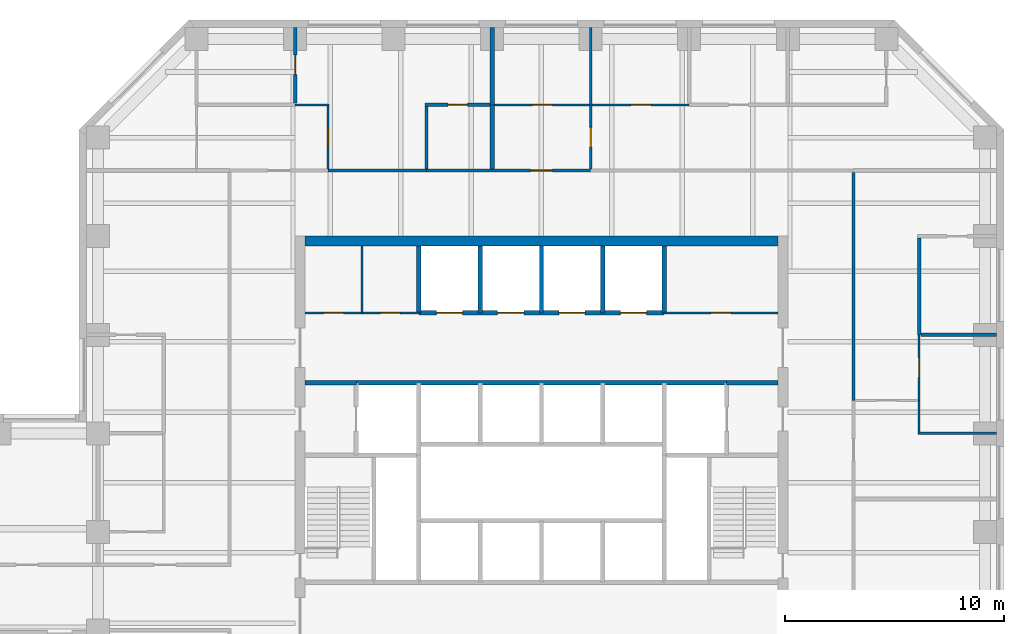
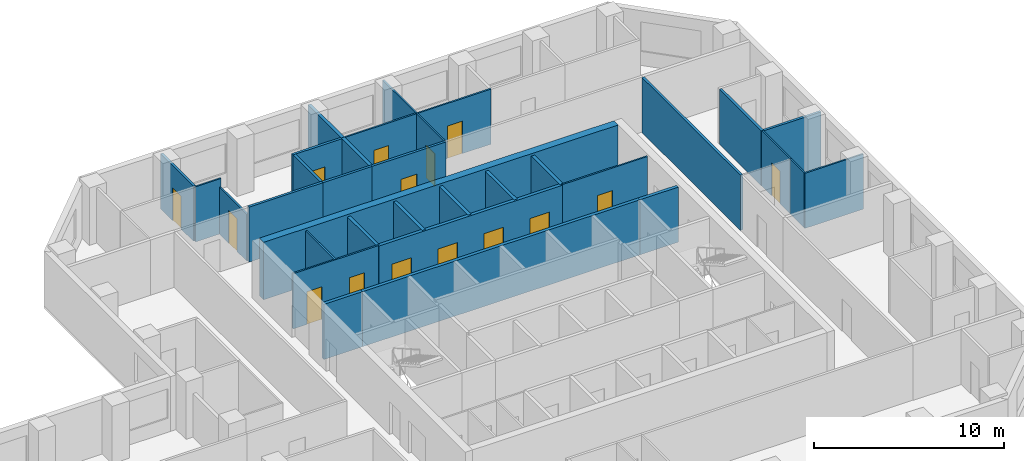
# One storey, part 8 of 11: 33 walls, 15 doors, 15 openings.
"""IFC4 building model written with IfcOpenShell, lengths in metres."""

import ifcopenshell
import ifcopenshell.guid

model = None  # the IFC model being written
_history = None  # IfcOwnerHistory: only IFC2X3 demands one
_inside = {}  # id of a spatial element -> (the spatial element, [elements in it])
_under = {}  # id of a project, library or spatial element -> (it, [spatial elements below it])
_declared = {}  # id of a project -> (the project, [libraries it declares])
_typed = {}  # id of a type object -> (the type object, [elements of that type])
_made_of = {}  # id of a material, layer set ... -> (it, [elements and type objects made of it])


def new_model(schema):
    """Start an empty IFC model of exactly this schema.

    Asked for "IFC4X3", IfcOpenShell would pick the latest addendum, in which some entities
    have other attributes; the version numbers below select the first issue.
    IFC2X3 requires an IfcOwnerHistory on every rooted entity: one is made here for all.
    """
    global model, _history
    if schema == "IFC4X3":
        model = ifcopenshell.file(schema_version=(4, 3, 0, 0))
    else:
        model = ifcopenshell.file(schema=schema)
    _inside.clear()
    _under.clear()
    _declared.clear()
    _typed.clear()
    _made_of.clear()
    _history = None
    if model.schema == "IFC2X3":
        org = make("IfcOrganization", Name="unknown")
        user = make(
            "IfcPersonAndOrganization",
            ThePerson=make("IfcPerson", FamilyName="unknown"),
            TheOrganization=org,
        )
        app = make(
            "IfcApplication",
            ApplicationDeveloper=org,
            Version="unknown",
            ApplicationFullName="unknown",
            ApplicationIdentifier="unknown",
        )
        _history = make(
            "IfcOwnerHistory",
            OwningUser=user,
            OwningApplication=app,
            ChangeAction="ADDED",
            CreationDate=0,
        )
    return model


def make(cls, **values):
    """One entity of the class cls with the attributes given. An attribute that is None is left unset."""
    return model.create_entity(
        cls, **{name: value for name, value in values.items() if value is not None}
    )


def rooted(cls, **values):
    """An entity with a GlobalId (a new one), such as an element, a storey or a relation."""
    return make(cls, GlobalId=ifcopenshell.guid.new(), OwnerHistory=_history, **values)


def si_unit(unit_type, name, prefix=None):
    """IfcSIUnit, for example si_unit("LENGTHUNIT", "METRE", prefix="MILLI")."""
    return make("IfcSIUnit", UnitType=unit_type, Prefix=prefix, Name=name)


def assignment(units):
    """IfcUnitAssignment: the units of a project."""
    return None if units is None else make("IfcUnitAssignment", Units=units)


def point(xyz):
    """IfcCartesianPoint."""
    return None if xyz is None else make("IfcCartesianPoint", Coordinates=xyz)


def direction(xyz):
    """IfcDirection."""
    return None if xyz is None else make("IfcDirection", DirectionRatios=xyz)


def frame(location, z_axis=None, x_axis=None):
    """IfcAxis2Placement3D, a coordinate frame: its origin and axes. An axis left out is left unset."""
    return make(
        "IfcAxis2Placement3D",
        Location=point(location),
        Axis=direction(z_axis),
        RefDirection=direction(x_axis),
    )


def frame_2d(location, x_axis=None):
    """IfcAxis2Placement2D, a coordinate frame in the plane: its origin and x axis."""
    return make(
        "IfcAxis2Placement2D", Location=point(location), RefDirection=direction(x_axis)
    )


def origin():
    """The frame at (0, 0, 0) with its axes left unset."""
    return frame((0.0, 0.0, 0.0))


def place(relative_to, where):
    """IfcLocalPlacement: puts the frame where relative to a parent placement (None: the world)."""
    return make(
        "IfcLocalPlacement", PlacementRelTo=relative_to, RelativePlacement=where
    )


def context(
    kind, dimensions, precision=None, world=None, true_north=None, identifier=None
):
    """IfcGeometricRepresentationContext, for example the 3D "Model" context."""
    return make(
        "IfcGeometricRepresentationContext",
        ContextIdentifier=identifier,
        ContextType=kind,
        CoordinateSpaceDimension=dimensions,
        Precision=precision,
        WorldCoordinateSystem=world,
        TrueNorth=true_north,
    )


def subcontext(parent, identifier, kind, view, scale=None):
    """IfcGeometricRepresentationSubContext, for example "Body" below "Model"."""
    return make(
        "IfcGeometricRepresentationSubContext",
        ContextIdentifier=identifier,
        ContextType=kind,
        ParentContext=parent,
        TargetScale=scale,
        TargetView=view,
    )


def project(units=None, contexts=None):
    """IfcProject with its units and contexts."""
    return rooted(
        "IfcProject",
        Name="project",
        RepresentationContexts=contexts,
        UnitsInContext=assignment(units),
    )


def spatial(cls, under=None, at=None, **own):
    """A site, building, storey or space (cls), placed at a placement, below another one or the project."""
    s = rooted(cls, ObjectPlacement=at, **own)
    if under is not None:
        _under.setdefault(under.id(), (under, []))[1].append(s)
    return s


def profile(cls, at=None, kind="AREA", **sizes):
    """A parametric profile (cls). Its sizes go by their IFC names, for example OverallWidth=200.0."""
    return make(cls, ProfileType=kind, Position=at, **sizes)


def rectangle(**sizes):
    """IfcRectangleProfileDef."""
    return profile("IfcRectangleProfileDef", **sizes)


def extrude(swept, where, along, depth):
    """IfcExtrudedAreaSolid: the profile swept, set in the frame where, extruded along a direction by depth."""
    return make(
        "IfcExtrudedAreaSolid",
        SweptArea=swept,
        Position=where,
        ExtrudedDirection=direction(along),
        Depth=depth,
    )


def shape(context_of_items, identifier, shape_type, items):
    """IfcShapeRepresentation: the items that make up one representation, for example the "Body"."""
    return make(
        "IfcShapeRepresentation",
        ContextOfItems=context_of_items,
        RepresentationIdentifier=identifier,
        RepresentationType=shape_type,
        Items=items,
    )


def material(Name=None, Category=None):
    """IfcMaterial."""
    return make("IfcMaterial", Name=Name, Category=Category)


def layer(
    of_material, thickness, ventilated=None, Name=None, Category=None, Priority=None
):
    """IfcMaterialLayer: one layer of a wall or slab, of a material (None: an air gap)."""
    return make(
        "IfcMaterialLayer",
        Material=of_material,
        LayerThickness=thickness,
        IsVentilated=ventilated,
        Name=Name,
        Category=Category,
        Priority=Priority,
    )


def layer_set(layers, Name=None):
    """IfcMaterialLayerSet."""
    return make("IfcMaterialLayerSet", MaterialLayers=layers, LayerSetName=Name)


def made_of(thing, what):
    """Note that an element or type object is made of a material, layer set ...; save() writes the relation."""
    if what is not None:
        _made_of.setdefault(what.id(), (what, []))[1].append(thing)
    return thing


def type_object(cls, material=None, **own):
    """A type object (cls), such as IfcWallType, which elements share."""
    return made_of(rooted(cls, **own), material)


def element(
    cls,
    number,
    at=None,
    inside=None,
    cuts=None,
    type_object=None,
    material=None,
    context=None,
    identifier="Body",
    shape_type=None,
    held_by="IfcProductDefinitionShape",
    body=None,
    shapes=None,
    **own,
):
    """One element of the class cls, such as IfcWall. Its Tag is "e" and its number.

    at: its placement. inside: the storey or other place that contains it. cuts: it is an
    opening in that element (IfcRelVoidsElement). A single representation is given by context,
    identifier, shape_type and body (its items); several are given by shapes. held_by: the class
    of the entity that holds the representations. save() writes the other relations.
    """
    e = rooted(cls, Tag="e%d" % number, ObjectPlacement=at, **own)
    if body is not None:
        shapes = [shape(context, identifier, shape_type, body)]
    if shapes is not None:
        e.Representation = make(held_by, Representations=shapes)
    if inside is not None:
        _inside.setdefault(inside.id(), (inside, []))[1].append(e)
    if cuts is not None:
        rooted(
            "IfcRelVoidsElement", RelatingBuildingElement=cuts, RelatedOpeningElement=e
        )
    if type_object is not None:
        _typed.setdefault(type_object.id(), (type_object, []))[1].append(e)
    return made_of(e, material)


def fill(opening, filler):
    """IfcRelFillsElement: the door or window that sits in an opening."""
    return rooted(
        "IfcRelFillsElement",
        RelatingOpeningElement=opening,
        RelatedBuildingElement=filler,
    )


def aggregate(whole, parts):
    """IfcRelAggregates: a whole, such as a stair, and the parts it consists of."""
    return rooted("IfcRelAggregates", RelatingObject=whole, RelatedObjects=parts)


def save(model, path):
    """Write the relations noted so far, then the file.

    IfcRelAggregates (storeys below a building ...), IfcRelContainedInSpatialStructure (elements
    in a storey), IfcRelDefinesByType, IfcRelAssociatesMaterial and IfcRelDeclares: one each for
    every whole, place, type object, material and project.
    """
    for whole, parts in _under.values():
        aggregate(whole, parts)
    for where, things in _inside.values():
        rooted(
            "IfcRelContainedInSpatialStructure",
            RelatedElements=things,
            RelatingStructure=where,
        )
    for kind, things in _typed.values():
        rooted("IfcRelDefinesByType", RelatedObjects=things, RelatingType=kind)
    for what, things in _made_of.values():
        rooted("IfcRelAssociatesMaterial", RelatedObjects=things, RelatingMaterial=what)
    for by, libraries in _declared.values():
        rooted("IfcRelDeclares", RelatingContext=by, RelatedDefinitions=libraries)
    model.write(path)


model = new_model("IFC4")

# Units and contexts
model_context = context("Model", 3, precision=1e-05, world=origin(), true_north=direction((0.0, 1.0)))
body_context = subcontext(model_context, "Body", "Model", "MODEL_VIEW")
ifc_project = project(units=[si_unit("LENGTHUNIT", "METRE"), si_unit("AREAUNIT", "SQUARE_METRE"), si_unit("VOLUMEUNIT", "CUBIC_METRE"), si_unit("PLANEANGLEUNIT", "RADIAN"), si_unit("MASSUNIT", "GRAM", prefix="KILO")], contexts=[model_context])

# Site, building, storey
site_placement = place(None, origin())
site = spatial("IfcSite", under=ifc_project, at=site_placement, CompositionType="ELEMENT")
building_placement = place(site_placement, origin())
building = spatial("IfcBuilding", under=site, at=building_placement, Name="Quoin Convention Tower", CompositionType="ELEMENT")
storey_placement = place(building_placement, frame((0.0, 0.0, 119.60009765625)))
storey = spatial("IfcBuildingStorey", under=building, at=storey_placement, Name="L31", CompositionType="ELEMENT", Elevation=119.60009765625)

# Walls
ifc_material_1 = material(Name="Plasterboard")
ifc_layer_1 = layer(ifc_material_1, 0.012451171875, Name="Finish")
ifc_material_2 = material(Name="Steel stud framing", Category="steel")
ifc_layer_2 = layer(ifc_material_2, 0.125, Name="Structure")
ifc_layer_3 = layer(ifc_material_1, 0.012451171875, Name="Finish")
ifc_layer_set_1 = layer_set([ifc_layer_1, ifc_layer_2, ifc_layer_3], Name="Steel stud framing")
wall_type_1 = type_object("IfcWallType", Name="Acoustic partition 150", PredefinedType="PARTITIONING", material=ifc_layer_set_1)
wall_1_placement = place(storey_placement, frame((73.574951171875, 67.5, 0.0), z_axis=(0.0, 0.0, 1.0), x_axis=(1.0, 0.0, 0.0)))
element("IfcWall", 1, at=wall_1_placement, inside=storey, type_object=wall_type_1, Name="pw-L31-042", PredefinedType="PARTITIONING", context=body_context, shape_type="SweptSolid", body=[
    extrude(rectangle(XDim=3.449951171875, YDim=0.14990234375, at=frame_2d((1.72509765625, 0.0))), origin(), (0.0, 0.0, 1.0), 3.5498046875),
])
wall_2_placement = place(storey_placement, frame((73.5, 67.5, 0.0), z_axis=(0.0, 0.0, 1.0), x_axis=(0.0, 1.0, 0.0)))
element("IfcWall", 2, at=wall_2_placement, inside=storey, type_object=wall_type_1, Name="pw-L31-097", PredefinedType="PARTITIONING", context=body_context, shape_type="SweptSolid", body=[
    extrude(rectangle(XDim=4.425048828125, YDim=0.14990234375, at=frame_2d((2.21240234375, 0.0))), origin(), (0.0, 0.0, 1.0), 3.5498046875),
])

# Wall, opening, door
wall_3_placement = place(storey_placement, frame((45.0, 78.074951171875, 0.0), z_axis=(0.0, 0.0, 1.0), x_axis=(0.0, 1.0, 0.0)))
wall_3 = element("IfcWall", 3, at=wall_3_placement, inside=storey, type_object=wall_type_1, Name="pw-L31-106", PredefinedType="PARTITIONING", context=body_context, shape_type="SweptSolid", body=[
    extrude(rectangle(XDim=3.449951171875, YDim=0.14990234375, at=frame_2d((1.72509765625, 0.0))), origin(), (0.0, 0.0, 1.0), 3.5498046875),
])
opening_1_placement = place(wall_3_placement, frame((1.300048828125, 0.0, 0.0)))
opening_1 = element("IfcOpeningElement", 4, at=opening_1_placement, cuts=wall_3, Name="Opening DOL6-36", PredefinedType="OPENING", context=body_context, shape_type="SweptSolid", body=[
    extrude(rectangle(XDim=0.89990234375, YDim=2.10009765625, at=frame_2d((0.449951171875, 1.050048828125))), frame((0.0, 0.0849609375, 0.0), z_axis=(0.0, -1.0, 0.0), x_axis=(1.0, 0.0, 0.0)), (0.0, 0.0, 1.0), 0.169921875),
])
ifc_material_3 = material(Name="Steel door leaf", Category="steel")
door_type_1 = type_object("IfcDoorType", Name="Office door 900 x 2100", OperationType="SINGLE_SWING_RIGHT", PredefinedType="DOOR", material=ifc_material_3)
door_1_placement = place(opening_1_placement, frame((0.89990234375, 0.0, 0.0), z_axis=(0.0, 0.0, 1.0), x_axis=(-1.0, 0.0, 0.0)))
door_1 = element("IfcDoor", 5, at=door_1_placement, inside=storey, type_object=door_type_1, Name="dr-L31-33", OperationType="SINGLE_SWING_LEFT", OverallHeight=2.10009765625, OverallWidth=0.89990234375, PredefinedType="DOOR", context=body_context, shape_type="SweptSolid", body=[
    extrude(rectangle(XDim=0.89990234375, YDim=2.10009765625, at=frame_2d((0.449951171875, 1.050048828125))), frame((0.0, 0.02490234375, 0.0), z_axis=(0.0, -1.0, 0.0), x_axis=(1.0, 0.0, 0.0)), (0.0, 0.0, 1.0), 0.050048828125),
])
fill(opening_1, door_1)

# Wall, openings, doors
ifc_layer_4 = layer(ifc_material_1, 0.012451171875, Name="Finish")
ifc_layer_5 = layer(ifc_material_2, 0.074951171875, Name="Structure")
ifc_layer_6 = layer(ifc_material_1, 0.012451171875, Name="Finish")
ifc_layer_set_2 = layer_set([ifc_layer_4, ifc_layer_5, ifc_layer_6], Name="Steel stud framing")
wall_type_2 = type_object("IfcWallType", Name="Core partition wall", PredefinedType="PARTITIONING", material=ifc_layer_set_2)
wall_4_placement = place(storey_placement, frame((45.449951171875, 68.5, 0.0), z_axis=(0.0, 0.0, 1.0), x_axis=(1.0, 0.0, 0.0)))
wall_4 = element("IfcWall", 6, at=wall_4_placement, inside=storey, type_object=wall_type_2, Name="cr-C1-L31-h19000_450", PredefinedType="PARTITIONING", context=body_context, shape_type="SweptSolid", body=[
    extrude(rectangle(XDim=5.199951171875, YDim=0.10009765625, at=frame_2d((2.60009765625, 0.0))), origin(), (0.0, 0.0, 1.0), 3.5498046875),
])
opening_2_placement = place(wall_4_placement, frame((0.85009765625, 0.0, 0.0)))
opening_2 = element("IfcOpeningElement", 7, at=opening_2_placement, cuts=wall_4, Name="Opening DCV5-16", PredefinedType="OPENING", context=body_context, shape_type="SweptSolid", body=[
    extrude(rectangle(XDim=0.89990234375, YDim=2.10009765625, at=frame_2d((0.449951171875, 1.050048828125))), frame((0.0, 0.06005859375, 0.0), z_axis=(0.0, -1.0, 0.0), x_axis=(1.0, 0.0, 0.0)), (0.0, 0.0, 1.0), 0.1201171875),
])
opening_3_placement = place(wall_4_placement, frame((3.449951171875, 0.0, 0.0)))
opening_3 = element("IfcOpeningElement", 8, at=opening_3_placement, cuts=wall_4, Name="Opening DCV5-17", PredefinedType="OPENING", context=body_context, shape_type="SweptSolid", body=[
    extrude(rectangle(XDim=0.89990234375, YDim=2.10009765625, at=frame_2d((0.449951171875, 1.050048828125))), frame((0.0, 0.06005859375, 0.0), z_axis=(0.0, -1.0, 0.0), x_axis=(1.0, 0.0, 0.0)), (0.0, 0.0, 1.0), 0.1201171875),
])
door_type_2 = type_object("IfcDoorType", Name="Core room door 900 x 2100", OperationType="SINGLE_SWING_LEFT", PredefinedType="DOOR", material=ifc_material_3)
door_2_placement = place(opening_2_placement, origin())
door_2 = element("IfcDoor", 9, at=door_2_placement, inside=storey, type_object=door_type_2, Name="cd-C1-L31-CNW0-lobB-CD3108", OperationType="SINGLE_SWING_RIGHT", OverallHeight=2.10009765625, OverallWidth=0.89990234375, PredefinedType="DOOR", context=body_context, shape_type="SweptSolid", body=[
    extrude(rectangle(XDim=0.89990234375, YDim=2.10009765625, at=frame_2d((0.449951171875, 1.050048828125))), frame((0.0, 0.02490234375, 0.0), z_axis=(0.0, -1.0, 0.0), x_axis=(1.0, 0.0, 0.0)), (0.0, 0.0, 1.0), 0.050048828125),
])
fill(opening_2, door_2)
door_3_placement = place(opening_3_placement, origin())
door_3 = element("IfcDoor", 10, at=door_3_placement, inside=storey, type_object=door_type_2, Name="cd-C1-L31-CNW1-lobB-CD3109", OperationType="SINGLE_SWING_RIGHT", OverallHeight=2.10009765625, OverallWidth=0.89990234375, PredefinedType="DOOR", context=body_context, shape_type="SweptSolid", body=[
    extrude(rectangle(XDim=0.89990234375, YDim=2.10009765625, at=frame_2d((0.449951171875, 1.050048828125))), frame((0.0, 0.02490234375, 0.0), z_axis=(0.0, -1.0, 0.0), x_axis=(1.0, 0.0, 0.0)), (0.0, 0.0, 1.0), 0.050048828125),
])
fill(opening_3, door_3)

# Wall, opening, door
wall_5_placement = place(storey_placement, frame((61.85009765625, 68.5, 0.0), z_axis=(0.0, 0.0, 1.0), x_axis=(1.0, 0.0, 0.0)))
wall_5 = element("IfcWall", 11, at=wall_5_placement, inside=storey, type_object=wall_type_2, Name="cr-C1-L31-h19000_16850", PredefinedType="PARTITIONING", context=body_context, shape_type="SweptSolid", body=[
    extrude(rectangle(XDim=5.199951171875, YDim=0.10009765625, at=frame_2d((2.60009765625, 0.0))), origin(), (0.0, 0.0, 1.0), 3.5498046875),
])
opening_4_placement = place(wall_5_placement, frame((2.14990234375, 0.0, 0.0)))
opening_4 = element("IfcOpeningElement", 12, at=opening_4_placement, cuts=wall_5, Name="Opening DCV5-02", PredefinedType="OPENING", context=body_context, shape_type="SweptSolid", body=[
    extrude(rectangle(XDim=0.89990234375, YDim=2.10009765625, at=frame_2d((0.449951171875, 1.050048828125))), frame((0.0, 0.06005859375, 0.0), z_axis=(0.0, -1.0, 0.0), x_axis=(1.0, 0.0, 0.0)), (0.0, 0.0, 1.0), 0.1201171875),
])
door_4_placement = place(opening_4_placement, origin())
door_4 = element("IfcDoor", 13, at=door_4_placement, inside=storey, type_object=door_type_2, Name="cd-C1-L31-CNE0-lobB-CD3107", OperationType="SINGLE_SWING_LEFT", OverallHeight=2.10009765625, OverallWidth=0.89990234375, PredefinedType="DOOR", context=body_context, shape_type="SweptSolid", body=[
    extrude(rectangle(XDim=0.89990234375, YDim=2.10009765625, at=frame_2d((0.449951171875, 1.050048828125))), frame((0.0, 0.02490234375, 0.0), z_axis=(0.0, -1.0, 0.0), x_axis=(1.0, 0.0, 0.0)), (0.0, 0.0, 1.0), 0.050048828125),
])
fill(opening_4, door_4)

# Walls
wall_6_placement = place(storey_placement, frame((48.050048828125, 68.5, 0.0), z_axis=(0.0, 0.0, 1.0), x_axis=(0.0, 1.0, 0.0)))
element("IfcWall", 14, at=wall_6_placement, inside=storey, type_object=wall_type_2, Name="cr-C1-L31-v3050_19000", PredefinedType="PARTITIONING", context=body_context, shape_type="SweptSolid", body=[
    extrude(rectangle(XDim=3.050048828125, YDim=0.10009765625, at=frame_2d((1.52490234375, 0.0))), origin(), (0.0, 0.0, 1.0), 3.5498046875),
])
ifc_material_4 = material(Name="Concrete C50", Category="concrete")
ifc_layer_7 = layer(ifc_material_4, 0.199951171875)
ifc_layer_set_3 = layer_set([ifc_layer_7], Name="Concrete C50")
wall_type_3 = type_object("IfcWallType", Name="Core shaft wall", PredefinedType="SOLIDWALL", material=ifc_layer_set_3)
for number, where, z_axis, x_axis, name in (
    (15, (45.449951171875, 65.300048828125, 0.0), (0.0, 0.0, 1.0), (1.0, 0.0, 0.0), "cr-C1-L31-h15800_450"),
    (16, (64.699951171875, 65.300048828125, 0.0), (0.0, 0.0, 1.0), (1.0, 0.0, 0.0), "cr-C1-L31-h15800_19700"),
):
    element("IfcWall", number, at=place(storey_placement, frame(where, z_axis=z_axis, x_axis=x_axis)), inside=storey, type_object=wall_type_3, Name=name, PredefinedType="SOLIDWALL", context=body_context, shape_type="SweptSolid", body=[
        extrude(rectangle(XDim=2.35009765625, YDim=0.199951171875, at=frame_2d((1.175048828125, 0.0))), origin(), (0.0, 0.0, 1.0), 3.5498046875),
    ])
wall_7_placement = place(storey_placement, frame((47.800048828125, 65.300048828125, 0.0), z_axis=(0.0, 0.0, 1.0), x_axis=(1.0, 0.0, 0.0)))
element("IfcWall", 17, at=wall_7_placement, inside=storey, type_object=wall_type_3, Name="cr-C1-L31-h15800_2800", PredefinedType="SOLIDWALL", context=body_context, shape_type="SweptSolid", body=[
    extrude(rectangle(XDim=16.89990234375, YDim=0.199951171875, at=frame_2d((8.449951171875, 0.0))), origin(), (0.0, 0.0, 1.0), 3.5498046875),
])

# Wall, openings, doors
wall_8_placement = place(storey_placement, frame((50.64990234375, 68.5, 0.0), z_axis=(0.0, 0.0, 1.0), x_axis=(1.0, 0.0, 0.0)))
wall_8 = element("IfcWall", 18, at=wall_8_placement, inside=storey, type_object=wall_type_3, Name="cr-C1-L31-h19000_5650", PredefinedType="SOLIDWALL", context=body_context, shape_type="SweptSolid", body=[
    extrude(rectangle(XDim=11.2001953125, YDim=0.199951171875, at=frame_2d((5.60009765625, 0.0))), origin(), (0.0, 0.0, 1.0), 3.5498046875),
])
opening_5_placement = place(wall_8_placement, frame((0.800048828125, 0.0, 0.0)))
opening_5 = element("IfcOpeningElement", 19, at=opening_5_placement, cuts=wall_8, Name="Opening LDL5", PredefinedType="OPENING", context=body_context, shape_type="SweptSolid", body=[
    extrude(rectangle(XDim=1.199951171875, YDim=2.10009765625, at=frame_2d((0.60009765625, 1.050048828125))), frame((0.0, 0.10986328125, 0.0), z_axis=(0.0, -1.0, 0.0), x_axis=(1.0, 0.0, 0.0)), (0.0, 0.0, 1.0), 0.219970703125),
])
opening_6_placement = place(wall_8_placement, frame((3.60009765625, 0.0, 0.0)))
opening_6 = element("IfcOpeningElement", 20, at=opening_6_placement, cuts=wall_8, Name="Opening LDL6", PredefinedType="OPENING", context=body_context, shape_type="SweptSolid", body=[
    extrude(rectangle(XDim=1.199951171875, YDim=2.10009765625, at=frame_2d((0.60009765625, 1.050048828125))), frame((0.0, 0.10986328125, 0.0), z_axis=(0.0, -1.0, 0.0), x_axis=(1.0, 0.0, 0.0)), (0.0, 0.0, 1.0), 0.219970703125),
])
opening_7_placement = place(wall_8_placement, frame((6.39990234375, 0.0, 0.0)))
opening_7 = element("IfcOpeningElement", 21, at=opening_7_placement, cuts=wall_8, Name="Opening LDL7", PredefinedType="OPENING", context=body_context, shape_type="SweptSolid", body=[
    extrude(rectangle(XDim=1.199951171875, YDim=2.10009765625, at=frame_2d((0.60009765625, 1.050048828125))), frame((0.0, 0.10986328125, 0.0), z_axis=(0.0, -1.0, 0.0), x_axis=(1.0, 0.0, 0.0)), (0.0, 0.0, 1.0), 0.219970703125),
])
opening_8_placement = place(wall_8_placement, frame((9.199951171875, 0.0, 0.0)))
opening_8 = element("IfcOpeningElement", 22, at=opening_8_placement, cuts=wall_8, Name="Opening LDL8", PredefinedType="OPENING", context=body_context, shape_type="SweptSolid", body=[
    extrude(rectangle(XDim=1.199951171875, YDim=2.10009765625, at=frame_2d((0.60009765625, 1.050048828125))), frame((0.0, 0.10986328125, 0.0), z_axis=(0.0, -1.0, 0.0), x_axis=(1.0, 0.0, 0.0)), (0.0, 0.0, 1.0), 0.219970703125),
])
door_type_3 = type_object("IfcDoorType", Name="Lift landing door 1200 x 2100", OperationType="DOUBLE_DOOR_SLIDING", PredefinedType="DOOR", material=ifc_material_3)
door_5_placement = place(opening_5_placement, origin())
door_5 = element("IfcDoor", 23, at=door_5_placement, inside=storey, type_object=door_type_3, Name="cd-C1-L31-R40-lobB-LDL5", OperationType="DOUBLE_DOOR_SLIDING", OverallHeight=2.10009765625, OverallWidth=1.199951171875, PredefinedType="DOOR", context=body_context, shape_type="SweptSolid", body=[
    extrude(rectangle(XDim=1.199951171875, YDim=2.10009765625, at=frame_2d((0.60009765625, 1.050048828125))), frame((0.0, 0.02490234375, 0.0), z_axis=(0.0, -1.0, 0.0), x_axis=(1.0, 0.0, 0.0)), (0.0, 0.0, 1.0), 0.050048828125),
])
fill(opening_5, door_5)
door_6_placement = place(opening_6_placement, origin())
door_6 = element("IfcDoor", 24, at=door_6_placement, inside=storey, type_object=door_type_3, Name="cd-C1-L31-R41-lobB-LDL6", OperationType="DOUBLE_DOOR_SLIDING", OverallHeight=2.10009765625, OverallWidth=1.199951171875, PredefinedType="DOOR", context=body_context, shape_type="SweptSolid", body=[
    extrude(rectangle(XDim=1.199951171875, YDim=2.10009765625, at=frame_2d((0.60009765625, 1.050048828125))), frame((0.0, 0.02490234375, 0.0), z_axis=(0.0, -1.0, 0.0), x_axis=(1.0, 0.0, 0.0)), (0.0, 0.0, 1.0), 0.050048828125),
])
fill(opening_6, door_6)
door_7_placement = place(opening_7_placement, origin())
door_7 = element("IfcDoor", 25, at=door_7_placement, inside=storey, type_object=door_type_3, Name="cd-C1-L31-R42-lobB-LDL7", OperationType="DOUBLE_DOOR_SLIDING", OverallHeight=2.10009765625, OverallWidth=1.199951171875, PredefinedType="DOOR", context=body_context, shape_type="SweptSolid", body=[
    extrude(rectangle(XDim=1.199951171875, YDim=2.10009765625, at=frame_2d((0.60009765625, 1.050048828125))), frame((0.0, 0.02490234375, 0.0), z_axis=(0.0, -1.0, 0.0), x_axis=(1.0, 0.0, 0.0)), (0.0, 0.0, 1.0), 0.050048828125),
])
fill(opening_7, door_7)
door_8_placement = place(opening_8_placement, origin())
door_8 = element("IfcDoor", 26, at=door_8_placement, inside=storey, type_object=door_type_3, Name="cd-C1-L31-R43-lobB-LDL8", OperationType="DOUBLE_DOOR_SLIDING", OverallHeight=2.10009765625, OverallWidth=1.199951171875, PredefinedType="DOOR", context=body_context, shape_type="SweptSolid", body=[
    extrude(rectangle(XDim=1.199951171875, YDim=2.10009765625, at=frame_2d((0.60009765625, 1.050048828125))), frame((0.0, 0.02490234375, 0.0), z_axis=(0.0, -1.0, 0.0), x_axis=(1.0, 0.0, 0.0)), (0.0, 0.0, 1.0), 0.050048828125),
])
fill(opening_8, door_8)

# Walls
for number, where, z_axis, x_axis, name in (
    (27, (50.64990234375, 68.5, 0.0), (0.0, 0.0, 1.0), (0.0, 1.0, 0.0), "cr-C1-L31-v5650_19000"),
    (28, (53.449951171875, 68.5, 0.0), (0.0, 0.0, 1.0), (0.0, 1.0, 0.0), "cr-C1-L31-v8450_19000"),
    (29, (56.25, 68.5, 0.0), (0.0, 0.0, 1.0), (0.0, 1.0, 0.0), "cr-C1-L31-v11250_19000"),
    (30, (59.050048828125, 68.5, 0.0), (0.0, 0.0, 1.0), (0.0, 1.0, 0.0), "cr-C1-L31-v14050_19000"),
    (31, (61.85009765625, 68.5, 0.0), (0.0, 0.0, 1.0), (0.0, 1.0, 0.0), "cr-C1-L31-v16850_19000"),
):
    element("IfcWall", number, at=place(storey_placement, frame(where, z_axis=z_axis, x_axis=x_axis)), inside=storey, type_object=wall_type_3, Name=name, PredefinedType="SOLIDWALL", context=body_context, shape_type="SweptSolid", body=[
        extrude(rectangle(XDim=3.050048828125, YDim=0.199951171875, at=frame_2d((1.52490234375, 0.0))), origin(), (0.0, 0.0, 1.0), 3.5498046875),
    ])
ifc_layer_8 = layer(ifc_material_1, 0.012451171875, Name="Finish")
ifc_layer_9 = layer(ifc_material_2, 0.125, Name="Structure")
ifc_layer_10 = layer(ifc_material_1, 0.012451171875, Name="Finish")
ifc_layer_set_4 = layer_set([ifc_layer_8, ifc_layer_9, ifc_layer_10], Name="Steel stud framing")
wall_type_4 = type_object("IfcWallType", Name="Corridor wall 150", PredefinedType="PARTITIONING", material=ifc_layer_set_4)
wall_9_placement = place(storey_placement, frame((46.5, 75.0, 0.0), z_axis=(0.0, 0.0, 1.0), x_axis=(1.0, 0.0, 0.0)))
element("IfcWall", 32, at=wall_9_placement, inside=storey, type_object=wall_type_4, Name="pw-L31-047", PredefinedType="PARTITIONING", context=body_context, shape_type="SweptSolid", body=[
    extrude(rectangle(XDim=4.5, YDim=0.14990234375, at=frame_2d((2.25, 0.0))), origin(), (0.0, 0.0, 1.0), 3.5498046875),
])
wall_10_placement = place(storey_placement, frame((51.0, 75.0, 0.0), z_axis=(0.0, 0.0, 1.0), x_axis=(1.0, 0.0, 0.0)))
element("IfcWall", 33, at=wall_10_placement, inside=storey, type_object=wall_type_4, Name="pw-L31-048", PredefinedType="PARTITIONING", context=body_context, shape_type="SweptSolid", body=[
    extrude(rectangle(XDim=3.0, YDim=0.14990234375, at=frame_2d((1.5, 0.0))), origin(), (0.0, 0.0, 1.0), 3.5498046875),
])

# Wall, opening, door
wall_11_placement = place(storey_placement, frame((54.0, 75.0, 0.0), z_axis=(0.0, 0.0, 1.0), x_axis=(1.0, 0.0, 0.0)))
wall_11 = element("IfcWall", 34, at=wall_11_placement, inside=storey, type_object=wall_type_4, Name="pw-L31-049", PredefinedType="PARTITIONING", context=body_context, shape_type="SweptSolid", body=[
    extrude(rectangle(XDim=4.5, YDim=0.14990234375, at=frame_2d((2.25, 0.0))), origin(), (0.0, 0.0, 1.0), 3.5498046875),
])
opening_9_placement = place(wall_11_placement, frame((1.75, 0.0, 0.0)))
opening_9 = element("IfcOpeningElement", 35, at=opening_9_placement, cuts=wall_11, Name="Opening DOL6-18", PredefinedType="OPENING", context=body_context, shape_type="SweptSolid", body=[
    extrude(rectangle(XDim=1.0, YDim=2.10009765625, at=frame_2d((0.5, 1.050048828125))), frame((0.0, 0.0849609375, 0.0), z_axis=(0.0, -1.0, 0.0), x_axis=(1.0, 0.0, 0.0)), (0.0, 0.0, 1.0), 0.169921875),
])
door_type_4 = type_object("IfcDoorType", Name="Tenancy entrance door 1000 x 2100", OperationType="DOUBLE_DOOR_SINGLE_SWING", PredefinedType="DOOR", material=ifc_material_3)
door_9_placement = place(opening_9_placement, origin())
door_9 = element("IfcDoor", 36, at=door_9_placement, inside=storey, type_object=door_type_4, Name="dr-L31-34", OperationType="DOUBLE_DOOR_SINGLE_SWING", OverallHeight=2.10009765625, OverallWidth=1.0, PredefinedType="DOOR", context=body_context, shape_type="SweptSolid", body=[
    extrude(rectangle(XDim=1.0, YDim=2.10009765625, at=frame_2d((0.5, 1.050048828125))), frame((0.0, 0.02490234375, 0.0), z_axis=(0.0, -1.0, 0.0), x_axis=(1.0, 0.0, 0.0)), (0.0, 0.0, 1.0), 0.050048828125),
])
fill(opening_9, door_9)

# Walls
wall_12_placement = place(storey_placement, frame((70.5, 64.5, 0.0), z_axis=(0.0, 0.0, 1.0), x_axis=(0.0, 1.0, 0.0)))
element("IfcWall", 37, at=wall_12_placement, inside=storey, type_object=wall_type_4, Name="pw-L31-095", PredefinedType="PARTITIONING", context=body_context, shape_type="SweptSolid", body=[
    extrude(rectangle(XDim=10.39990234375, YDim=0.14990234375, at=frame_2d((5.199951171875, 0.0))), origin(), (0.0, 0.0, 1.0), 3.5498046875),
])
ifc_material_5 = material(Name="Concrete C65", Category="concrete")
ifc_layer_11 = layer(ifc_material_5, 0.449951171875)
ifc_layer_set_5 = layer_set([ifc_layer_11], Name="Concrete C65")
wall_type_5 = type_object("IfcWallType", Name="RC CORE WALL 450 C65", PredefinedType="SHEAR", material=ifc_layer_set_5)
wall_13_placement = place(storey_placement, frame((45.449951171875, 71.77490234375, 0.0), z_axis=(0.0, 0.0, 1.0), x_axis=(1.0, 0.0, 0.0)))
element("IfcWall", 38, at=wall_13_placement, inside=storey, type_object=wall_type_5, Name="cwl-C1-L31-N", PredefinedType="SHEAR", context=body_context, shape_type="SweptSolid", body=[
    extrude(rectangle(XDim=21.60009765625, YDim=0.449951171875, at=frame_2d((10.800048828125, 0.0))), origin(), (0.0, 0.0, 1.0), 3.699951171875),
])
ifc_layer_12 = layer(ifc_material_1, 0.012451171875, Name="Finish")
ifc_layer_13 = layer(ifc_material_2, 0.074951171875, Name="Structure")
ifc_layer_14 = layer(ifc_material_1, 0.012451171875, Name="Finish")
ifc_layer_set_6 = layer_set([ifc_layer_12, ifc_layer_13, ifc_layer_14], Name="Steel stud framing")
wall_type_6 = type_object("IfcWallType", Name="Stud partition 100", PredefinedType="PARTITIONING", material=ifc_layer_set_6)
wall_14_placement = place(storey_placement, frame((73.449951171875, 63.0, 0.0), z_axis=(0.0, 0.0, 1.0), x_axis=(1.0, 0.0, 0.0)))
element("IfcWall", 39, at=wall_14_placement, inside=storey, type_object=wall_type_6, Name="pw-L31-039", PredefinedType="PARTITIONING", context=body_context, shape_type="SweptSolid", body=[
    extrude(rectangle(XDim=3.574951171875, YDim=0.10009765625, at=frame_2d((1.78759765625, 0.0))), origin(), (0.0, 0.0, 1.0), 3.5498046875),
])
wall_15_placement = place(storey_placement, frame((45.0, 78.0, 0.0), z_axis=(0.0, 0.0, 1.0), x_axis=(1.0, 0.0, 0.0)))
element("IfcWall", 40, at=wall_15_placement, inside=storey, type_object=wall_type_6, Name="pw-L31-053", PredefinedType="PARTITIONING", context=body_context, shape_type="SweptSolid", body=[
    extrude(rectangle(XDim=1.550048828125, YDim=0.10009765625, at=frame_2d((0.77490234375, 0.0))), origin(), (0.0, 0.0, 1.0), 3.5498046875),
])

# Wall, opening, door
wall_16_placement = place(storey_placement, frame((54.10009765625, 78.0, 0.0), z_axis=(0.0, 0.0, 1.0), x_axis=(1.0, 0.0, 0.0)))
wall_16 = element("IfcWall", 41, at=wall_16_placement, inside=storey, type_object=wall_type_6, Name="pw-L31-055", PredefinedType="PARTITIONING", context=body_context, shape_type="SweptSolid", body=[
    extrude(rectangle(XDim=4.349853515625, YDim=0.10009765625, at=frame_2d((2.1748046875, 0.0))), origin(), (0.0, 0.0, 1.0), 3.5498046875),
])
opening_10_placement = place(wall_16_placement, frame((1.75, 0.0, 0.0)))
opening_10 = element("IfcOpeningElement", 42, at=opening_10_placement, cuts=wall_16, Name="Opening DOL6-20", PredefinedType="OPENING", context=body_context, shape_type="SweptSolid", body=[
    extrude(rectangle(XDim=0.89990234375, YDim=2.10009765625, at=frame_2d((0.449951171875, 1.050048828125))), frame((0.0, 0.06005859375, 0.0), z_axis=(0.0, -1.0, 0.0), x_axis=(1.0, 0.0, 0.0)), (0.0, 0.0, 1.0), 0.1201171875),
])
door_10_placement = place(opening_10_placement, origin())
door_10 = element("IfcDoor", 43, at=door_10_placement, inside=storey, type_object=door_type_1, Name="dr-L31-36", OperationType="SINGLE_SWING_RIGHT", OverallHeight=2.10009765625, OverallWidth=0.89990234375, PredefinedType="DOOR", context=body_context, shape_type="SweptSolid", body=[
    extrude(rectangle(XDim=0.89990234375, YDim=2.10009765625, at=frame_2d((0.449951171875, 1.050048828125))), frame((0.0, 0.02490234375, 0.0), z_axis=(0.0, -1.0, 0.0), x_axis=(1.0, 0.0, 0.0)), (0.0, 0.0, 1.0), 0.050048828125),
])
fill(opening_10, door_10)

wall_17_placement = place(storey_placement, frame((58.550048828125, 78.0, 0.0), z_axis=(0.0, 0.0, 1.0), x_axis=(1.0, 0.0, 0.0)))
wall_17 = element("IfcWall", 44, at=wall_17_placement, inside=storey, type_object=wall_type_6, Name="pw-L31-056", PredefinedType="PARTITIONING", context=body_context, shape_type="SweptSolid", body=[
    extrude(rectangle(XDim=4.449951171875, YDim=0.10009765625, at=frame_2d((2.22509765625, 0.0))), origin(), (0.0, 0.0, 1.0), 3.5498046875),
])
opening_11_placement = place(wall_17_placement, frame((1.800048828125, 0.0, 0.0)))
opening_11 = element("IfcOpeningElement", 45, at=opening_11_placement, cuts=wall_17, Name="Opening DOL6-21", PredefinedType="OPENING", context=body_context, shape_type="SweptSolid", body=[
    extrude(rectangle(XDim=0.89990234375, YDim=2.10009765625, at=frame_2d((0.449951171875, 1.050048828125))), frame((0.0, 0.06005859375, 0.0), z_axis=(0.0, -1.0, 0.0), x_axis=(1.0, 0.0, 0.0)), (0.0, 0.0, 1.0), 0.1201171875),
])
door_11_placement = place(opening_11_placement, frame((0.89990234375, 0.0, 0.0), z_axis=(0.0, 0.0, 1.0), x_axis=(-1.0, 0.0, 0.0)))
door_11 = element("IfcDoor", 46, at=door_11_placement, inside=storey, type_object=door_type_1, Name="dr-L31-37", OperationType="SINGLE_SWING_LEFT", OverallHeight=2.10009765625, OverallWidth=0.89990234375, PredefinedType="DOOR", context=body_context, shape_type="SweptSolid", body=[
    extrude(rectangle(XDim=0.89990234375, YDim=2.10009765625, at=frame_2d((0.449951171875, 1.050048828125))), frame((0.0, 0.02490234375, 0.0), z_axis=(0.0, -1.0, 0.0), x_axis=(1.0, 0.0, 0.0)), (0.0, 0.0, 1.0), 0.050048828125),
])
fill(opening_11, door_11)

# Wall
wall_18_placement = place(storey_placement, frame((73.5, 63.050048828125, 0.0), z_axis=(0.0, 0.0, 1.0), x_axis=(0.0, 1.0, 0.0)))
element("IfcWall", 47, at=wall_18_placement, inside=storey, type_object=wall_type_6, Name="pw-L31-094", PredefinedType="PARTITIONING", context=body_context, shape_type="SweptSolid", body=[
    extrude(rectangle(XDim=1.449951171875, YDim=0.10009765625, at=frame_2d((0.72509765625, 0.0))), origin(), (0.0, 0.0, 1.0), 3.5498046875),
])

# Wall, opening, door
wall_19_placement = place(storey_placement, frame((73.5, 64.5, 0.0), z_axis=(0.0, 0.0, 1.0), x_axis=(0.0, 1.0, 0.0)))
wall_19 = element("IfcWall", 48, at=wall_19_placement, inside=storey, type_object=wall_type_6, Name="pw-L31-096", PredefinedType="PARTITIONING", context=body_context, shape_type="SweptSolid", body=[
    extrude(rectangle(XDim=3.0, YDim=0.10009765625, at=frame_2d((1.5, 0.0))), origin(), (0.0, 0.0, 1.0), 3.5498046875),
])
opening_12_placement = place(wall_19_placement, frame((1.050048828125, 0.0, 0.0)))
opening_12 = element("IfcOpeningElement", 49, at=opening_12_placement, cuts=wall_19, Name="Opening DOL6-32", PredefinedType="OPENING", context=body_context, shape_type="SweptSolid", body=[
    extrude(rectangle(XDim=0.89990234375, YDim=2.10009765625, at=frame_2d((0.449951171875, 1.050048828125))), frame((0.0, 0.06005859375, 0.0), z_axis=(0.0, -1.0, 0.0), x_axis=(1.0, 0.0, 0.0)), (0.0, 0.0, 1.0), 0.1201171875),
])
door_12_placement = place(opening_12_placement, origin())
door_12 = element("IfcDoor", 50, at=door_12_placement, inside=storey, type_object=door_type_1, Name="dr-L31-27", OperationType="SINGLE_SWING_RIGHT", OverallHeight=2.10009765625, OverallWidth=0.89990234375, PredefinedType="DOOR", context=body_context, shape_type="SweptSolid", body=[
    extrude(rectangle(XDim=0.89990234375, YDim=2.10009765625, at=frame_2d((0.449951171875, 1.050048828125))), frame((0.0, 0.02490234375, 0.0), z_axis=(0.0, -1.0, 0.0), x_axis=(1.0, 0.0, 0.0)), (0.0, 0.0, 1.0), 0.050048828125),
])
fill(opening_12, door_12)

wall_20_placement = place(storey_placement, frame((58.5, 75.074951171875, 0.0), z_axis=(0.0, 0.0, 1.0), x_axis=(0.0, 1.0, 0.0)))
wall_20 = element("IfcWall", 51, at=wall_20_placement, inside=storey, type_object=wall_type_6, Name="pw-L31-101", PredefinedType="PARTITIONING", context=body_context, shape_type="SweptSolid", body=[
    extrude(rectangle(XDim=2.925048828125, YDim=0.10009765625, at=frame_2d((1.46240234375, 0.0))), origin(), (0.0, 0.0, 1.0), 3.5498046875),
])
opening_13_placement = place(wall_20_placement, frame((1.0, 0.0, 0.0)))
opening_13 = element("IfcOpeningElement", 52, at=opening_13_placement, cuts=wall_20, Name="Opening DOL6-34", PredefinedType="OPENING", context=body_context, shape_type="SweptSolid", body=[
    extrude(rectangle(XDim=0.89990234375, YDim=2.10009765625, at=frame_2d((0.449951171875, 1.050048828125))), frame((0.0, 0.06005859375, 0.0), z_axis=(0.0, -1.0, 0.0), x_axis=(1.0, 0.0, 0.0)), (0.0, 0.0, 1.0), 0.1201171875),
])
door_13_placement = place(opening_13_placement, frame((0.89990234375, 0.0, 0.0), z_axis=(0.0, 0.0, 1.0), x_axis=(-1.0, 0.0, 0.0)))
door_13 = element("IfcDoor", 53, at=door_13_placement, inside=storey, type_object=door_type_1, Name="dr-L31-35", OperationType="SINGLE_SWING_LEFT", OverallHeight=2.10009765625, OverallWidth=0.89990234375, PredefinedType="DOOR", context=body_context, shape_type="SweptSolid", body=[
    extrude(rectangle(XDim=0.89990234375, YDim=2.10009765625, at=frame_2d((0.449951171875, 1.050048828125))), frame((0.0, 0.02490234375, 0.0), z_axis=(0.0, -1.0, 0.0), x_axis=(1.0, 0.0, 0.0)), (0.0, 0.0, 1.0), 0.050048828125),
])
fill(opening_13, door_13)

# Wall
wall_21_placement = place(storey_placement, frame((58.5, 78.0, 0.0), z_axis=(0.0, 0.0, 1.0), x_axis=(0.0, 1.0, 0.0)))
element("IfcWall", 54, at=wall_21_placement, inside=storey, type_object=wall_type_6, Name="pw-L31-105", PredefinedType="PARTITIONING", context=body_context, shape_type="SweptSolid", body=[
    extrude(rectangle(XDim=3.52490234375, YDim=0.10009765625, at=frame_2d((1.762451171875, 0.0))), origin(), (0.0, 0.0, 1.0), 3.5498046875),
])

# Wall, opening, door
ifc_layer_15 = layer(ifc_material_1, 0.012451171875, Name="Finish")
ifc_layer_16 = layer(ifc_material_2, 0.074951171875, Name="Structure")
ifc_layer_17 = layer(ifc_material_1, 0.012451171875, Name="Finish")
ifc_layer_set_7 = layer_set([ifc_layer_15, ifc_layer_16, ifc_layer_17], Name="Steel stud framing")
wall_type_7 = type_object("IfcWallType", Name="Stud partition 100 under beam 528", PredefinedType="PARTITIONING", material=ifc_layer_set_7)
wall_22_placement = place(storey_placement, frame((46.5, 75.074951171875, 0.0), z_axis=(0.0, 0.0, 1.0), x_axis=(0.0, 1.0, 0.0)))
wall_22 = element("IfcWall", 55, at=wall_22_placement, inside=storey, type_object=wall_type_7, Name="pw-L31-098", PredefinedType="PARTITIONING", context=body_context, shape_type="SweptSolid", body=[
    extrude(rectangle(XDim=2.875, YDim=0.10009765625, at=frame_2d((1.4375, 0.0))), origin(), (0.0, 0.0, 1.0), 3.02197265625),
])
opening_14_placement = place(wall_22_placement, frame((1.0, 0.0, 0.0)))
opening_14 = element("IfcOpeningElement", 56, at=opening_14_placement, cuts=wall_22, Name="Opening DOL6-33", PredefinedType="OPENING", context=body_context, shape_type="SweptSolid", body=[
    extrude(rectangle(XDim=0.89990234375, YDim=2.10009765625, at=frame_2d((0.449951171875, 1.050048828125))), frame((0.0, 0.06005859375, 0.0), z_axis=(0.0, -1.0, 0.0), x_axis=(1.0, 0.0, 0.0)), (0.0, 0.0, 1.0), 0.1201171875),
])
door_14_placement = place(opening_14_placement, frame((0.89990234375, 0.0, 0.0), z_axis=(0.0, 0.0, 1.0), x_axis=(-1.0, 0.0, 0.0)))
door_14 = element("IfcDoor", 57, at=door_14_placement, inside=storey, type_object=door_type_1, Name="dr-L31-30", OperationType="SINGLE_SWING_LEFT", OverallHeight=2.10009765625, OverallWidth=0.89990234375, PredefinedType="DOOR", context=body_context, shape_type="SweptSolid", body=[
    extrude(rectangle(XDim=0.89990234375, YDim=2.10009765625, at=frame_2d((0.449951171875, 1.050048828125))), frame((0.0, 0.02490234375, 0.0), z_axis=(0.0, -1.0, 0.0), x_axis=(1.0, 0.0, 0.0)), (0.0, 0.0, 1.0), 0.050048828125),
])
fill(opening_14, door_14)

# Walls
ifc_layer_18 = layer(ifc_material_1, 0.012451171875, Name="Finish")
ifc_layer_19 = layer(ifc_material_2, 0.175048828125, Name="Structure")
ifc_layer_20 = layer(ifc_material_1, 0.012451171875, Name="Finish")
ifc_layer_set_8 = layer_set([ifc_layer_18, ifc_layer_19, ifc_layer_20], Name="Steel stud framing")
wall_type_8 = type_object("IfcWallType", Name="Tenancy demising wall 200", PredefinedType="PARTITIONING", material=ifc_layer_set_8)
wall_23_placement = place(storey_placement, frame((54.0, 75.074951171875, 0.0), z_axis=(0.0, 0.0, 1.0), x_axis=(0.0, 1.0, 0.0)))
element("IfcWall", 58, at=wall_23_placement, inside=storey, type_object=wall_type_8, Name="pw-L31-100", PredefinedType="PARTITIONING", context=body_context, shape_type="SweptSolid", body=[
    extrude(rectangle(XDim=2.925048828125, YDim=0.199951171875, at=frame_2d((1.46240234375, 0.0))), origin(), (0.0, 0.0, 1.0), 3.5498046875),
])
wall_24_placement = place(storey_placement, frame((54.0, 78.0, 0.0), z_axis=(0.0, 0.0, 1.0), x_axis=(0.0, 1.0, 0.0)))
element("IfcWall", 59, at=wall_24_placement, inside=storey, type_object=wall_type_8, Name="pw-L31-104", PredefinedType="PARTITIONING", context=body_context, shape_type="SweptSolid", body=[
    extrude(rectangle(XDim=3.52490234375, YDim=0.199951171875, at=frame_2d((1.762451171875, 0.0))), origin(), (0.0, 0.0, 1.0), 3.5498046875),
])

# Wall, opening, door
ifc_layer_21 = layer(ifc_material_1, 0.012451171875, Name="Finish")
ifc_layer_22 = layer(ifc_material_2, 0.125, Name="Structure")
ifc_layer_23 = layer(ifc_material_1, 0.012451171875, Name="Finish")
ifc_layer_set_9 = layer_set([ifc_layer_21, ifc_layer_22, ifc_layer_23], Name="Steel stud framing")
wall_type_9 = type_object("IfcWallType", Name="Wet area partition 150", PredefinedType="PARTITIONING", material=ifc_layer_set_9)
wall_25_placement = place(storey_placement, frame((50.925048828125, 78.0, 0.0), z_axis=(0.0, 0.0, 1.0), x_axis=(1.0, 0.0, 0.0)))
wall_25 = element("IfcWall", 60, at=wall_25_placement, inside=storey, type_object=wall_type_9, Name="pw-L31-054", PredefinedType="PARTITIONING", context=body_context, shape_type="SweptSolid", body=[
    extrude(rectangle(XDim=2.974853515625, YDim=0.14990234375, at=frame_2d((1.4873046875, 0.0))), origin(), (0.0, 0.0, 1.0), 3.5498046875),
])
opening_15_placement = place(wall_25_placement, frame((1.050048828125, 0.0, 0.0)))
opening_15 = element("IfcOpeningElement", 61, at=opening_15_placement, cuts=wall_25, Name="Opening DOL6-19", PredefinedType="OPENING", context=body_context, shape_type="SweptSolid", body=[
    extrude(rectangle(XDim=0.89990234375, YDim=2.10009765625, at=frame_2d((0.449951171875, 1.050048828125))), frame((0.0, 0.0849609375, 0.0), z_axis=(0.0, -1.0, 0.0), x_axis=(1.0, 0.0, 0.0)), (0.0, 0.0, 1.0), 0.169921875),
])
door_15_placement = place(opening_15_placement, origin())
door_15 = element("IfcDoor", 62, at=door_15_placement, inside=storey, type_object=door_type_1, Name="dr-L31-32", OperationType="SINGLE_SWING_RIGHT", OverallHeight=2.10009765625, OverallWidth=0.89990234375, PredefinedType="DOOR", context=body_context, shape_type="SweptSolid", body=[
    extrude(rectangle(XDim=0.89990234375, YDim=2.10009765625, at=frame_2d((0.449951171875, 1.050048828125))), frame((0.0, 0.02490234375, 0.0), z_axis=(0.0, -1.0, 0.0), x_axis=(1.0, 0.0, 0.0)), (0.0, 0.0, 1.0), 0.050048828125),
])
fill(opening_15, door_15)

# Wall
wall_26_placement = place(storey_placement, frame((51.0, 75.074951171875, 0.0), z_axis=(0.0, 0.0, 1.0), x_axis=(0.0, 1.0, 0.0)))
element("IfcWall", 63, at=wall_26_placement, inside=storey, type_object=wall_type_9, Name="pw-L31-099", PredefinedType="PARTITIONING", context=body_context, shape_type="SweptSolid", body=[
    extrude(rectangle(XDim=2.85009765625, YDim=0.14990234375, at=frame_2d((1.425048828125, 0.0))), origin(), (0.0, 0.0, 1.0), 3.5498046875),
])

save(model, "model.ifc")
